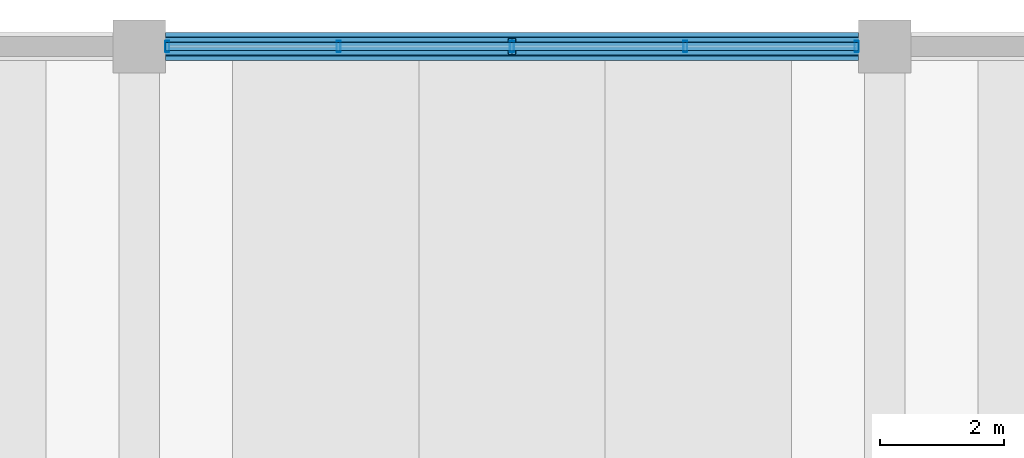
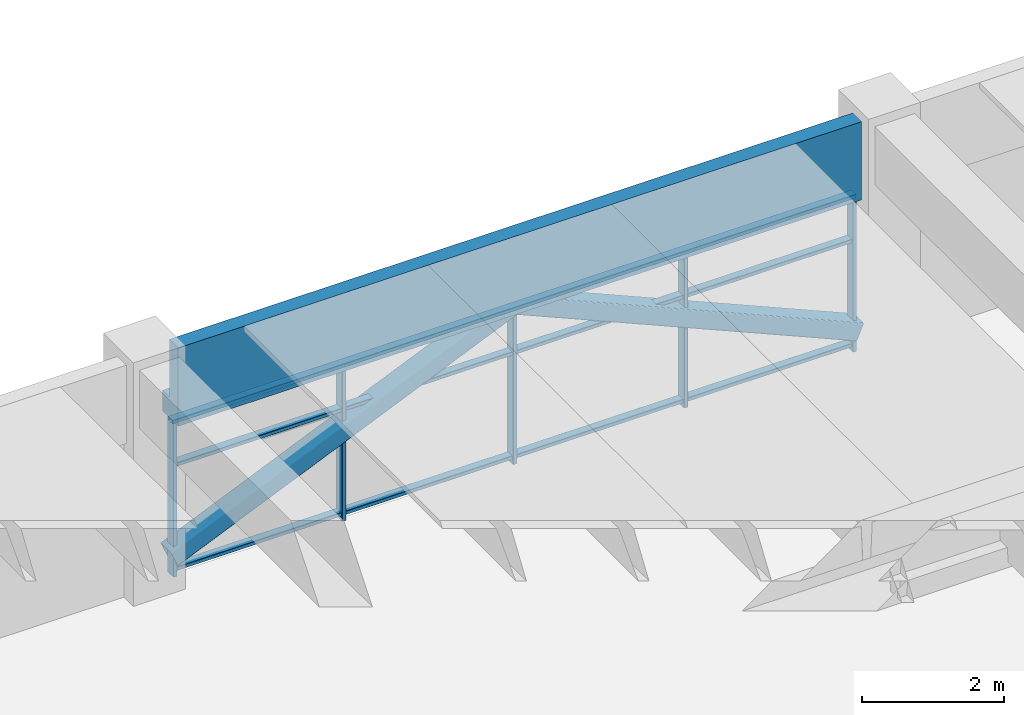
# One storey, part 27 of 50: 10 members, 1 beam, 1 element without a shape of its own.
"""IFC4 building model written with IfcOpenShell, lengths in metres."""

from ifc_helpers import new_model, si_unit, direction, frame, origin, origin_2d, place, context, subcontext, project, spatial, polyline, hollow_rectangle, outline, extrude, material, material_profile, profile_set, type_object, element, aggregate, save


model = new_model("IFC4")

# Units and contexts
model_context = context("Model", 3, precision=1e-05, world=origin(), true_north=direction((0.0, 1.0)))
body_context = subcontext(model_context, "Body", "Model", "MODEL_VIEW")
ifc_project = project(units=[si_unit("LENGTHUNIT", "METRE"), si_unit("AREAUNIT", "SQUARE_METRE"), si_unit("VOLUMEUNIT", "CUBIC_METRE"), si_unit("PLANEANGLEUNIT", "RADIAN"), si_unit("MASSUNIT", "GRAM", prefix="KILO")], contexts=[model_context])

# Site, building, storey
site_placement = place(None, origin())
site = spatial("IfcSite", under=ifc_project, at=site_placement, CompositionType="ELEMENT")
building_placement = place(site_placement, origin())
building = spatial("IfcBuilding", under=site, at=building_placement, Name="Girod Span Mobility Hub", CompositionType="ELEMENT")
storey_placement = place(building_placement, frame((0.0, 0.0, 5.39990234375)))
storey = spatial("IfcBuildingStorey", under=building, at=storey_placement, Name="L01", CompositionType="ELEMENT", Elevation=5.39990234375)

# Beam
ifc_material_1 = material(Name="Concrete C40/50", Category="concrete")
ifc_material_profile_1 = material_profile(ifc_material_1, outline(polyline([(-0.22509765625, -0.675048828125), (0.22509765625, -0.675048828125), (0.22509765625, -0.324951171875), (0.02490234375, -0.324951171875), (0.02490234375, 0.675048828125), (-0.22509765625, 0.675048828125), (-0.22509765625, -0.675048828125)])), Name="SP-450X1350")
ifc_profile_set_1 = profile_set([ifc_material_profile_1], Name="Concrete C40/50")
beam_type = type_object("IfcBeamType", Name="BM-SP-450X1350", PredefinedType="SPANDREL", material=ifc_profile_set_1)
beam_placement = place(storey_placement, frame((132.422119140625, 114.0, 3.364990234375), z_axis=(1.0, 0.0, 0.0), x_axis=(0.0, 1.0, 0.0)))
element("IfcBeam", 1, at=beam_placement, inside=storey, type_object=beam_type, Name="Girder 12-13/J L01", PredefinedType="SPANDREL", context=body_context, shape_type="SweptSolid", body=[
    extrude(outline(polyline([(-0.22509765625, -0.675048828125), (0.22509765625, -0.675048828125), (0.22509765625, -0.324951171875), (0.02490234375, -0.324951171875), (0.02490234375, 0.675048828125), (-0.22509765625, 0.675048828125), (-0.22509765625, -0.675048828125)])), origin(), (0.0, 0.0, 1.0), 11.15576171875),
])

# Curtain wall, members
ifc_material_2 = material(Name="Thermally Broken Anodised Aluminium", Category="aluminium")
curtain_wall_type = type_object("IfcCurtainWallType", Name="CW-1115X269", PredefinedType="USERDEFINED", material=ifc_material_2)
curtain_wall_placement = place(storey_placement, origin())
curtain_wall = element("IfcCurtainWall", 2, at=curtain_wall_placement, inside=storey, type_object=curtain_wall_type, Name="Concourse Storefront CW-L01-N12 L01", ObjectType="CONCOURSE STOREFRONT", PredefinedType="USERDEFINED")
ifc_material_3 = material(Name="Thermally Broken Anodised Aluminium", Category="aluminium")
ifc_material_profile_2 = material_profile(ifc_material_3, hollow_rectangle(XDim=0.179931640625, YDim=0.06494140625, WallThickness=0.00390625, InnerFilletRadius=0.00390625, OuterFilletRadius=0.008056640625, at=origin_2d()), Name="CW-ML-65X180")
ifc_profile_set_2 = profile_set([ifc_material_profile_2], Name="Thermally Broken Anodised Aluminium")
member_type_1 = type_object("IfcMemberType", Name="CWM-ML-2", PredefinedType="MULLION", material=ifc_profile_set_2)
member_1_placement = place(storey_placement, frame((132.455078125, 114.0, 0.0), z_axis=(0.0, 0.0, 1.0), x_axis=(0.0, 1.0, 0.0)))
member_1 = element("IfcMember", 3, at=member_1_placement, type_object=member_type_1, Name="Curtain Wall Mullion CW-L01-N12-M0", PredefinedType="MULLION", context=body_context, shape_type="SweptSolid", body=[
    extrude(hollow_rectangle(XDim=0.179931640625, YDim=0.06494140625, WallThickness=0.00390625, InnerFilletRadius=0.00390625, OuterFilletRadius=0.008056640625, at=origin_2d()), origin(), (0.0, 0.0, 1.0), 2.690185546875),
])
member_2_placement = place(storey_placement, frame((135.21142578125, 114.0, 0.0), z_axis=(0.0, 0.0, 1.0), x_axis=(0.0, 1.0, 0.0)))
member_2 = element("IfcMember", 4, at=member_2_placement, type_object=member_type_1, Name="Curtain Wall Mullion CW-L01-N12-M1", PredefinedType="MULLION", context=body_context, shape_type="SweptSolid", body=[
    extrude(hollow_rectangle(XDim=0.179931640625, YDim=0.06494140625, WallThickness=0.00390625, InnerFilletRadius=0.00390625, OuterFilletRadius=0.008056640625, at=origin_2d()), origin(), (0.0, 0.0, 1.0), 2.690185546875),
])
member_3_placement = place(storey_placement, frame((138.0, 114.0, 0.0), z_axis=(0.0, 0.0, 1.0), x_axis=(0.0, 1.0, 0.0)))
member_3 = element("IfcMember", 5, at=member_3_placement, type_object=member_type_1, Name="Curtain Wall Mullion CW-L01-N12-M2", PredefinedType="MULLION", context=body_context, shape_type="SweptSolid", body=[
    extrude(hollow_rectangle(XDim=0.179931640625, YDim=0.06494140625, WallThickness=0.00390625, InnerFilletRadius=0.00390625, OuterFilletRadius=0.008056640625, at=origin_2d()), origin(), (0.0, 0.0, 1.0), 2.690185546875),
])
member_4_placement = place(storey_placement, frame((140.78857421875, 114.0, 0.0), z_axis=(0.0, 0.0, 1.0), x_axis=(0.0, 1.0, 0.0)))
member_4 = element("IfcMember", 6, at=member_4_placement, type_object=member_type_1, Name="Curtain Wall Mullion CW-L01-N12-M3", PredefinedType="MULLION", context=body_context, shape_type="SweptSolid", body=[
    extrude(hollow_rectangle(XDim=0.179931640625, YDim=0.06494140625, WallThickness=0.00390625, InnerFilletRadius=0.00390625, OuterFilletRadius=0.008056640625, at=origin_2d()), origin(), (0.0, 0.0, 1.0), 2.690185546875),
])
member_5_placement = place(storey_placement, frame((143.544921875, 114.0, 0.0), z_axis=(0.0, 0.0, 1.0), x_axis=(0.0, 1.0, 0.0)))
member_5 = element("IfcMember", 7, at=member_5_placement, type_object=member_type_1, Name="Curtain Wall Mullion CW-L01-N12-M4", PredefinedType="MULLION", context=body_context, shape_type="SweptSolid", body=[
    extrude(hollow_rectangle(XDim=0.179931640625, YDim=0.06494140625, WallThickness=0.00390625, InnerFilletRadius=0.00390625, OuterFilletRadius=0.008056640625, at=origin_2d()), origin(), (0.0, 0.0, 1.0), 2.690185546875),
])
ifc_material_4 = material(Name="Thermally Broken Anodised Aluminium", Category="aluminium")
ifc_material_profile_3 = material_profile(ifc_material_4, hollow_rectangle(XDim=0.135009765625, YDim=0.06494140625, WallThickness=0.00390625, InnerFilletRadius=0.00390625, OuterFilletRadius=0.008056640625, at=origin_2d()), Name="CW-TR-65X135")
ifc_profile_set_3 = profile_set([ifc_material_profile_3], Name="Thermally Broken Anodised Aluminium")
member_type_2 = type_object("IfcMemberType", Name="CWM-TR-2", PredefinedType="USERDEFINED", material=ifc_profile_set_3)
member_6_placement = place(storey_placement, frame((132.423095703125, 114.0, 0.107666015625), z_axis=(1.0, 0.0, 0.0), x_axis=(0.0, 1.0, 0.0)))
member_6 = element("IfcMember", 8, at=member_6_placement, type_object=member_type_2, Name="Curtain Wall Transom CW-L01-N12-T1", ObjectType="TRANSOM", PredefinedType="USERDEFINED", context=body_context, shape_type="SweptSolid", body=[
    extrude(hollow_rectangle(XDim=0.135009765625, YDim=0.06494140625, WallThickness=0.00390625, InnerFilletRadius=0.00390625, OuterFilletRadius=0.008056640625, at=origin_2d()), origin(), (0.0, 0.0, 1.0), 11.15380859375),
])
member_7_placement = place(storey_placement, frame((132.423095703125, 114.0, 1.904296875), z_axis=(1.0, 0.0, 0.0), x_axis=(0.0, 1.0, 0.0)))
member_7 = element("IfcMember", 9, at=member_7_placement, type_object=member_type_2, Name="Curtain Wall Transom CW-L01-N12-T2", ObjectType="TRANSOM", PredefinedType="USERDEFINED", context=body_context, shape_type="SweptSolid", body=[
    extrude(hollow_rectangle(XDim=0.135009765625, YDim=0.06494140625, WallThickness=0.00390625, InnerFilletRadius=0.00390625, OuterFilletRadius=0.008056640625, at=origin_2d()), origin(), (0.0, 0.0, 1.0), 11.15380859375),
])
member_8_placement = place(storey_placement, frame((132.423095703125, 114.0, 2.65771484375), z_axis=(1.0, 0.0, 0.0), x_axis=(0.0, 1.0, 0.0)))
member_8 = element("IfcMember", 10, at=member_8_placement, type_object=member_type_2, Name="Curtain Wall Transom CW-L01-N12-T3", ObjectType="TRANSOM", PredefinedType="USERDEFINED", context=body_context, shape_type="SweptSolid", body=[
    extrude(hollow_rectangle(XDim=0.135009765625, YDim=0.06494140625, WallThickness=0.00390625, InnerFilletRadius=0.00390625, OuterFilletRadius=0.008056640625, at=origin_2d()), origin(), (0.0, 0.0, 1.0), 11.15380859375),
])
aggregate(curtain_wall, [member_1, member_2, member_3, member_4, member_5, member_6, member_7, member_8])

# Members
ifc_material_5 = material(Name="Steel HSS A500 Grade C", Category="steel")
ifc_material_profile_4 = material_profile(ifc_material_5, hollow_rectangle(XDim=0.304931640625, YDim=0.304931640625, WallThickness=0.014892578125, InnerFilletRadius=0.014892578125, OuterFilletRadius=0.029541015625, at=origin_2d()), Name="HSS305X305X16")
ifc_profile_set_4 = profile_set([ifc_material_profile_4], Name="Steel HSS A500 Grade C")
member_type_3 = type_object("IfcMemberType", Name="MB-BR-HSS305", PredefinedType="BRACE", material=ifc_profile_set_4)
for number, where, z_axis, x_axis, name in (
    (11, (132.405029296875, 114.0, 0.35009765625), (0.917828641156, 0.0, 0.396976807223), (0.0, 1.0, 0.0), "Perimeter Chevron Brace 12/J-L L01"),
    (12, (143.594970703125, 114.0, 0.35009765625), (-0.917828641156, 0.0, 0.396976807223), (0.0, -1.0, 0.0), "Perimeter Chevron Brace 12/J-R L01"),
):
    element("IfcMember", number, at=place(storey_placement, frame(where, z_axis=z_axis, x_axis=x_axis)), inside=storey, type_object=member_type_3, Name=name, PredefinedType="BRACE", context=body_context, shape_type="SweptSolid", body=[
        extrude(hollow_rectangle(XDim=0.304931640625, YDim=0.304931640625, WallThickness=0.014892578125, InnerFilletRadius=0.014892578125, OuterFilletRadius=0.029541015625, at=origin_2d()), origin(), (0.0, 0.0, 1.0), 6.095947265625),
    ])

save(model, "model.ifc")
